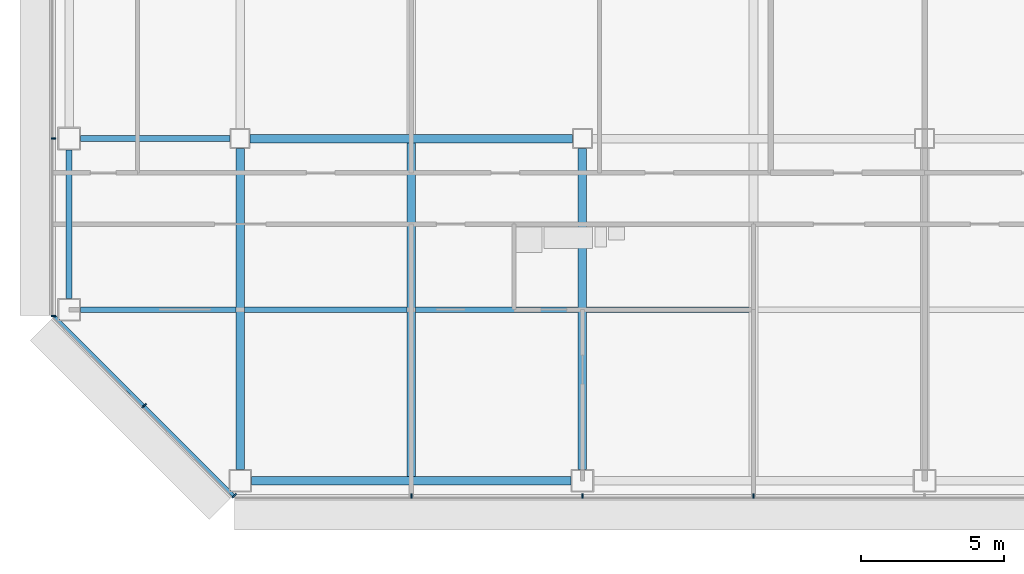
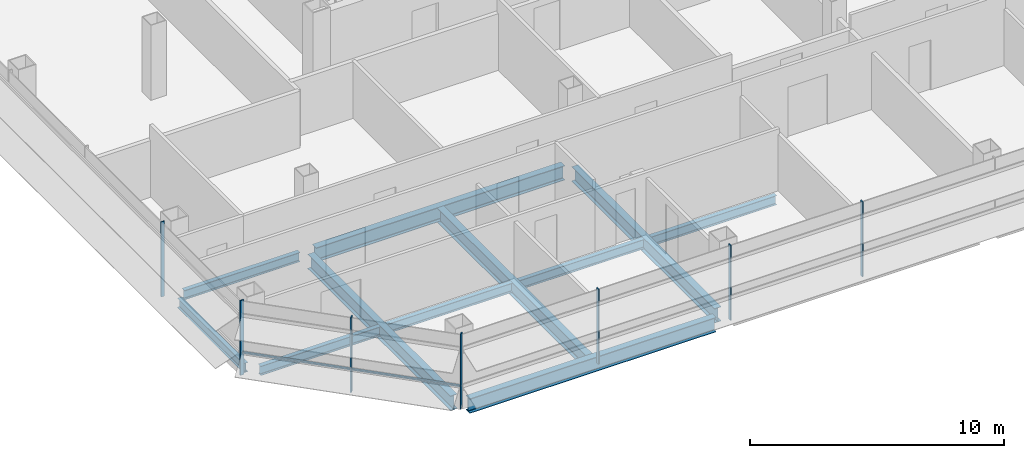
# One storey, part 2 of 25: 11 beams, 8 members, 3 elements without a shape of their own.
"""IFC4 building model written with IfcOpenShell, lengths in metres."""

from ifc_helpers import new_model, si_unit, direction, frame, origin, origin_2d, place, context, subcontext, project, spatial, rectangle, i_section, extrude, material, material_profile, profile_set, type_object, element, aggregate, save


model = new_model("IFC4")

# Units and contexts
model_context = context("Model", 3, precision=1e-05, world=origin(), true_north=direction((0.0, 1.0)))
body_context = subcontext(model_context, "Body", "Model", "MODEL_VIEW")
ifc_project = project(units=[si_unit("LENGTHUNIT", "METRE"), si_unit("AREAUNIT", "SQUARE_METRE"), si_unit("VOLUMEUNIT", "CUBIC_METRE"), si_unit("PLANEANGLEUNIT", "RADIAN"), si_unit("MASSUNIT", "GRAM", prefix="KILO")], contexts=[model_context])

# Site, building, storey
site_placement = place(None, origin())
site = spatial("IfcSite", under=ifc_project, at=site_placement, CompositionType="ELEMENT")
building_placement = place(site_placement, origin())
building = spatial("IfcBuilding", under=site, at=building_placement, Name="Sorahane Residences", CompositionType="ELEMENT")
storey_placement = place(building_placement, frame((0.0, 0.0, 126.800048828125)))
storey = spatial("IfcBuildingStorey", under=building, at=storey_placement, Name="L28", CompositionType="ELEMENT", Elevation=126.800048828125)

# Curtain wall, members
ifc_material_1 = material(Name="Dark low-e glass and black anodised aluminium", Category="aluminium")
curtain_wall_type_1 = type_object("IfcCurtainWallType", Name="Curtain wall CW-1 Typical unitised wall", PredefinedType="NOTDEFINED", material=ifc_material_1)
curtain_wall_1_placement = place(storey_placement, origin())
curtain_wall_1 = element("IfcCurtainWall", 1, at=curtain_wall_1_placement, inside=storey, type_object=curtain_wall_type_1, Name="CW-1 curtain wall L28 S1", PredefinedType="NOTDEFINED")
ifc_material_2 = material(Name="Black anodised aluminium", Category="aluminium")
ifc_material_profile_1 = material_profile(ifc_material_2, rectangle(XDim=0.159912109375, YDim=0.050048828125, at=origin_2d()), Name="Curtain wall mullion CW-1 black anodised aluminium 50x160")
ifc_profile_set_1 = profile_set([ifc_material_profile_1], Name="Black anodised aluminium")
member_type_1 = type_object("IfcMemberType", Name="Curtain wall mullion CW-1 black anodised aluminium 50x160", PredefinedType="MULLION", material=ifc_profile_set_1)
member_1_placement = place(storey_placement, frame((6.0, -0.5400390625, -0.179931640625), z_axis=(0.0, 0.0, 1.0), x_axis=(0.0, -1.0, 0.0)))
member_1 = element("IfcMember", 2, at=member_1_placement, type_object=member_type_1, Name="CW-1 mullion L28 S1.2", PredefinedType="MULLION", context=body_context, shape_type="SweptSolid", body=[
    extrude(rectangle(XDim=0.159912109375, YDim=0.050048828125, at=origin_2d()), origin(), (0.0, 0.0, 1.0), 3.599853515625),
])
member_2_placement = place(storey_placement, frame((12.0, -0.5400390625, -0.179931640625), z_axis=(0.0, 0.0, 1.0), x_axis=(0.0, -1.0, 0.0)))
member_2 = element("IfcMember", 3, at=member_2_placement, type_object=member_type_1, Name="CW-1 mullion L28 S1.3", PredefinedType="MULLION", context=body_context, shape_type="SweptSolid", body=[
    extrude(rectangle(XDim=0.159912109375, YDim=0.050048828125, at=origin_2d()), origin(), (0.0, 0.0, 1.0), 3.599853515625),
])
member_3_placement = place(storey_placement, frame((18.0, -0.5400390625, -0.179931640625), z_axis=(0.0, 0.0, 1.0), x_axis=(0.0, -1.0, 0.0)))
member_3 = element("IfcMember", 4, at=member_3_placement, type_object=member_type_1, Name="CW-1 mullion L28 S1.4", PredefinedType="MULLION", context=body_context, shape_type="SweptSolid", body=[
    extrude(rectangle(XDim=0.159912109375, YDim=0.050048828125, at=origin_2d()), origin(), (0.0, 0.0, 1.0), 3.599853515625),
])
aggregate(curtain_wall_1, [member_1, member_2, member_3])

curtain_wall_2_placement = place(storey_placement, origin())
curtain_wall_2 = element("IfcCurtainWall", 5, at=curtain_wall_2_placement, inside=storey, type_object=curtain_wall_type_1, Name="CW-1 curtain wall L28 W1", PredefinedType="NOTDEFINED")
member_4_placement = place(storey_placement, frame((-6.5400390625, 12.0, -0.179931640625), z_axis=(0.0, 0.0, 1.0), x_axis=(-1.0, 0.0, 0.0)))
member_4 = element("IfcMember", 6, at=member_4_placement, type_object=member_type_1, Name="CW-1 mullion L28 W1.6", PredefinedType="MULLION", context=body_context, shape_type="SweptSolid", body=[
    extrude(rectangle(XDim=0.159912109375, YDim=0.050048828125, at=origin_2d()), origin(), (0.0, 0.0, 1.0), 3.599853515625),
])
member_5_placement = place(storey_placement, frame((-6.5400390625, 5.7763671875, -0.179931640625), z_axis=(0.0, 0.0, 1.0), x_axis=(-1.0, 0.0, 0.0)))
member_5 = element("IfcMember", 7, at=member_5_placement, type_object=member_type_1, Name="CW-1 mullion L28 W1.7", PredefinedType="MULLION", context=body_context, shape_type="SweptSolid", body=[
    extrude(rectangle(XDim=0.159912109375, YDim=0.050048828125, at=origin_2d()), origin(), (0.0, 0.0, 1.0), 3.599853515625),
])
aggregate(curtain_wall_2, [member_4, member_5])

ifc_material_3 = material(Name="Dark low-e glass and black anodised aluminium", Category="aluminium")
curtain_wall_type_2 = type_object("IfcCurtainWallType", Name="Curtain wall CW-2 Chamfer unitised wall", PredefinedType="NOTDEFINED", material=ifc_material_3)
curtain_wall_3_placement = place(storey_placement, origin())
curtain_wall_3 = element("IfcCurtainWall", 8, at=curtain_wall_3_placement, inside=storey, type_object=curtain_wall_type_2, Name="CW-2 curtain wall L28 SW1", PredefinedType="NOTDEFINED")
ifc_material_4 = material(Name="Black anodised aluminium", Category="aluminium")
ifc_material_profile_2 = material_profile(ifc_material_4, rectangle(XDim=0.199951171875, YDim=0.050048828125, at=origin_2d()), Name="Curtain wall mullion CW-2 black anodised aluminium 50x200")
ifc_profile_set_2 = profile_set([ifc_material_profile_2], Name="Black anodised aluminium")
member_type_2 = type_object("IfcMemberType", Name="Curtain wall mullion CW-2 black anodised aluminium 50x200", PredefinedType="MULLION", material=ifc_profile_set_2)
member_6_placement = place(storey_placement, frame((-3.36767578125, 2.63232421875, -0.179931640625), z_axis=(0.0, 0.0, 1.0), x_axis=(-0.707106781187, -0.707106781187, 0.0)))
member_6 = element("IfcMember", 9, at=member_6_placement, type_object=member_type_2, Name="CW-2 mullion L28 SW1.2", PredefinedType="MULLION", context=body_context, shape_type="SweptSolid", body=[
    extrude(rectangle(XDim=0.199951171875, YDim=0.050048828125, at=origin_2d()), origin(), (0.0, 0.0, 1.0), 3.599853515625),
])
member_7_placement = place(storey_placement, frame((-0.209716796875, -0.525634765625, -0.179931640625), z_axis=(0.0, 0.0, 1.0), x_axis=(-0.707106781187, -0.707106781187, 0.0)))
member_7 = element("IfcMember", 10, at=member_7_placement, type_object=member_type_2, Name="CW-2 mullion L28 SW1.3", PredefinedType="MULLION", context=body_context, shape_type="SweptSolid", body=[
    extrude(rectangle(XDim=0.199951171875, YDim=0.050048828125, at=origin_2d()), origin(), (0.0, 0.0, 1.0), 3.599853515625),
])
ifc_material_5 = material(Name="Black anodised aluminium", Category="aluminium")
ifc_material_profile_3 = material_profile(ifc_material_5, rectangle(XDim=0.10009765625, YDim=0.06005859375, at=origin_2d()), Name="Curtain wall transom CW-2 black anodised aluminium 60x100")
ifc_profile_set_3 = profile_set([ifc_material_profile_3], Name="Black anodised aluminium")
member_type_3 = type_object("IfcMemberType", Name="Curtain wall transom CW-2 black anodised aluminium 60x100", PredefinedType="USERDEFINED", material=ifc_profile_set_3)
member_8_placement = place(storey_placement, frame((-6.51513671875, 5.765625, 0.89990234375), z_axis=(0.707106781187, -0.707106781187, 0.0), x_axis=(0.707106781187, 0.707106781187, 0.0)))
member_8 = element("IfcMember", 11, at=member_8_placement, type_object=member_type_3, Name="CW-2 transom L28 SW1", ObjectType="TRANSOM", PredefinedType="USERDEFINED", context=body_context, shape_type="SweptSolid", body=[
    extrude(rectangle(XDim=0.10009765625, YDim=0.06005859375, at=origin_2d()), origin(), (0.0, 0.0, 1.0), 8.88232421875),
])
aggregate(curtain_wall_3, [member_6, member_7, member_8])

# Beams
ifc_material_6 = material(Name="Steel Q355B", Category="steel")
ifc_material_profile_4 = material_profile(ifc_material_6, i_section(OverallWidth=0.199951171875, OverallDepth=0.449951171875, WebThickness=0.009033203125, FlangeThickness=0.013916015625, FilletRadius=0.02001953125, at=origin_2d()), Name="HN 450x200x9x14")
ifc_profile_set_4 = profile_set([ifc_material_profile_4], Name="Steel Q355B")
beam_type_1 = type_object("IfcBeamType", Name="Steel floor beam HN 450x200x9x14 Q355B", PredefinedType="BEAM", material=ifc_profile_set_4)
beam_1_placement = place(storey_placement, frame((-5.60009765625, 12.0, -0.405029296875), z_axis=(1.0, 0.0, 0.0), x_axis=(0.0, 1.0, 0.0)))
element("IfcBeam", 12, at=beam_1_placement, inside=storey, type_object=beam_type_1, Name="Beam L28 005", PredefinedType="BEAM", context=body_context, shape_type="SweptSolid", body=[
    extrude(i_section(OverallWidth=0.199951171875, OverallDepth=0.449951171875, WebThickness=0.009033203125, FlangeThickness=0.013916015625, FilletRadius=0.02001953125, at=origin_2d()), origin(), (0.0, 0.0, 1.0), 5.25),
])
beam_2_placement = place(storey_placement, frame((-6.0, 6.39990234375, -0.405029296875), z_axis=(0.0, 1.0, 0.0), x_axis=(-1.0, 0.0, 0.0)))
element("IfcBeam", 13, at=beam_2_placement, inside=storey, type_object=beam_type_1, Name="Beam L28 020", PredefinedType="BEAM", context=body_context, shape_type="SweptSolid", body=[
    extrude(i_section(OverallWidth=0.199951171875, OverallDepth=0.449951171875, WebThickness=0.009033203125, FlangeThickness=0.013916015625, FilletRadius=0.02001953125, at=origin_2d()), origin(), (0.0, 0.0, 1.0), 5.2001953125),
])
beam_3_placement = place(storey_placement, frame((-5.60009765625, 6.0, -0.405029296875), z_axis=(1.0, 0.0, 0.0), x_axis=(0.0, 1.0, 0.0)))
element("IfcBeam", 14, at=beam_3_placement, inside=storey, type_object=beam_type_1, Name="Beam L28 068", PredefinedType="BEAM", context=body_context, shape_type="SweptSolid", body=[
    extrude(i_section(OverallWidth=0.199951171875, OverallDepth=0.449951171875, WebThickness=0.009033203125, FlangeThickness=0.013916015625, FilletRadius=0.02001953125, at=origin_2d()), origin(), (0.0, 0.0, 1.0), 5.4501953125),
])
for number, where, z_axis, x_axis, name in (
    (15, (0.14990234375, 6.0, -0.405029296875), (1.0, 0.0, 0.0), (0.0, 1.0, 0.0), "Beam L28 069"),
    (16, (6.14990234375, 6.0, -0.405029296875), (1.0, 0.0, 0.0), (0.0, 1.0, 0.0), "Beam L28 070"),
    (17, (12.14990234375, 6.0, -0.405029296875), (1.0, 0.0, 0.0), (0.0, 1.0, 0.0), "Beam L28 071"),
):
    element("IfcBeam", number, at=place(storey_placement, frame(where, z_axis=z_axis, x_axis=x_axis)), inside=storey, type_object=beam_type_1, Name=name, PredefinedType="BEAM", context=body_context, shape_type="SweptSolid", body=[
        extrude(i_section(OverallWidth=0.199951171875, OverallDepth=0.449951171875, WebThickness=0.009033203125, FlangeThickness=0.013916015625, FilletRadius=0.02001953125, at=origin_2d()), origin(), (0.0, 0.0, 1.0), 5.7001953125),
    ])
ifc_material_7 = material(Name="Steel Q355B", Category="steel")
ifc_material_profile_5 = material_profile(ifc_material_7, i_section(OverallWidth=0.300048828125, OverallDepth=0.699951171875, WebThickness=0.012939453125, FlangeThickness=0.02392578125, FilletRadius=0.028076171875, at=origin_2d()), Name="HN 700x300x13x24")
ifc_profile_set_5 = profile_set([ifc_material_profile_5], Name="Steel Q355B")
beam_type_2 = type_object("IfcBeamType", Name="Steel floor beam HN 700x300x13x24 Q355B", PredefinedType="BEAM", material=ifc_profile_set_5)
beam_4_placement = place(storey_placement, frame((0.39990234375, 0.0, -0.530029296875), z_axis=(1.0, 0.0, 0.0), x_axis=(0.0, 1.0, 0.0)))
element("IfcBeam", 18, at=beam_4_placement, inside=storey, type_object=beam_type_2, Name="Beam L28 000", PredefinedType="BEAM", context=body_context, shape_type="SweptSolid", body=[
    extrude(i_section(OverallWidth=0.300048828125, OverallDepth=0.699951171875, WebThickness=0.012939453125, FlangeThickness=0.02392578125, FilletRadius=0.028076171875, at=origin_2d()), origin(), (0.0, 0.0, 1.0), 11.2001953125),
])
beam_5_placement = place(storey_placement, frame((0.35009765625, 12.0, -0.530029296875), z_axis=(1.0, 0.0, 0.0), x_axis=(0.0, 1.0, 0.0)))
element("IfcBeam", 19, at=beam_5_placement, inside=storey, type_object=beam_type_2, Name="Beam L28 006", PredefinedType="BEAM", context=body_context, shape_type="SweptSolid", body=[
    extrude(i_section(OverallWidth=0.300048828125, OverallDepth=0.699951171875, WebThickness=0.012939453125, FlangeThickness=0.02392578125, FilletRadius=0.028076171875, at=origin_2d()), origin(), (0.0, 0.0, 1.0), 11.2998046875),
])
beam_6_placement = place(storey_placement, frame((0.0, 0.39990234375, -0.530029296875), z_axis=(0.0, 1.0, 0.0), x_axis=(-1.0, 0.0, 0.0)))
element("IfcBeam", 20, at=beam_6_placement, inside=storey, type_object=beam_type_2, Name="Beam L28 024", PredefinedType="BEAM", context=body_context, shape_type="SweptSolid", body=[
    extrude(i_section(OverallWidth=0.300048828125, OverallDepth=0.699951171875, WebThickness=0.012939453125, FlangeThickness=0.02392578125, FilletRadius=0.028076171875, at=origin_2d()), origin(), (0.0, 0.0, 1.0), 11.25),
])
beam_7_placement = place(storey_placement, frame((6.0, 0.14990234375, -0.530029296875), z_axis=(0.0, 1.0, 0.0), x_axis=(-1.0, 0.0, 0.0)))
element("IfcBeam", 21, at=beam_7_placement, inside=storey, type_object=beam_type_2, Name="Beam L28 028", PredefinedType="BEAM", context=body_context, shape_type="SweptSolid", body=[
    extrude(i_section(OverallWidth=0.300048828125, OverallDepth=0.699951171875, WebThickness=0.012939453125, FlangeThickness=0.02392578125, FilletRadius=0.028076171875, at=origin_2d()), origin(), (0.0, 0.0, 1.0), 11.7001953125),
])
beam_8_placement = place(storey_placement, frame((12.0, 0.39990234375, -0.530029296875), z_axis=(0.0, 1.0, 0.0), x_axis=(-1.0, 0.0, 0.0)))
element("IfcBeam", 22, at=beam_8_placement, inside=storey, type_object=beam_type_2, Name="Beam L28 034", PredefinedType="BEAM", context=body_context, shape_type="SweptSolid", body=[
    extrude(i_section(OverallWidth=0.300048828125, OverallDepth=0.699951171875, WebThickness=0.012939453125, FlangeThickness=0.02392578125, FilletRadius=0.028076171875, at=origin_2d()), origin(), (0.0, 0.0, 1.0), 11.25),
])

save(model, "model.ifc")
